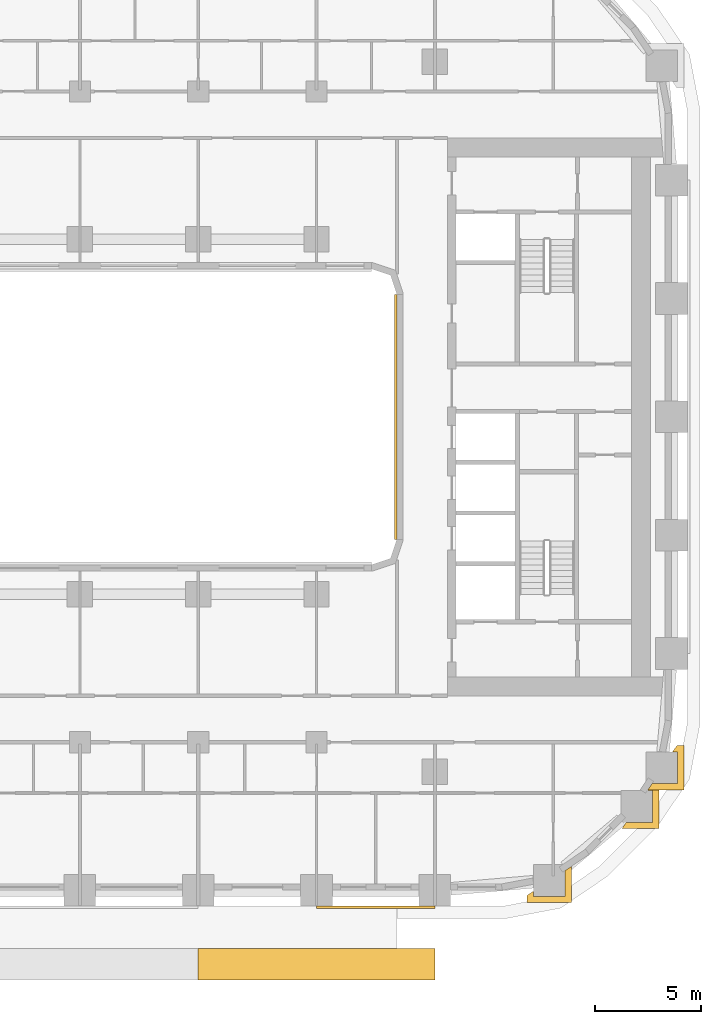
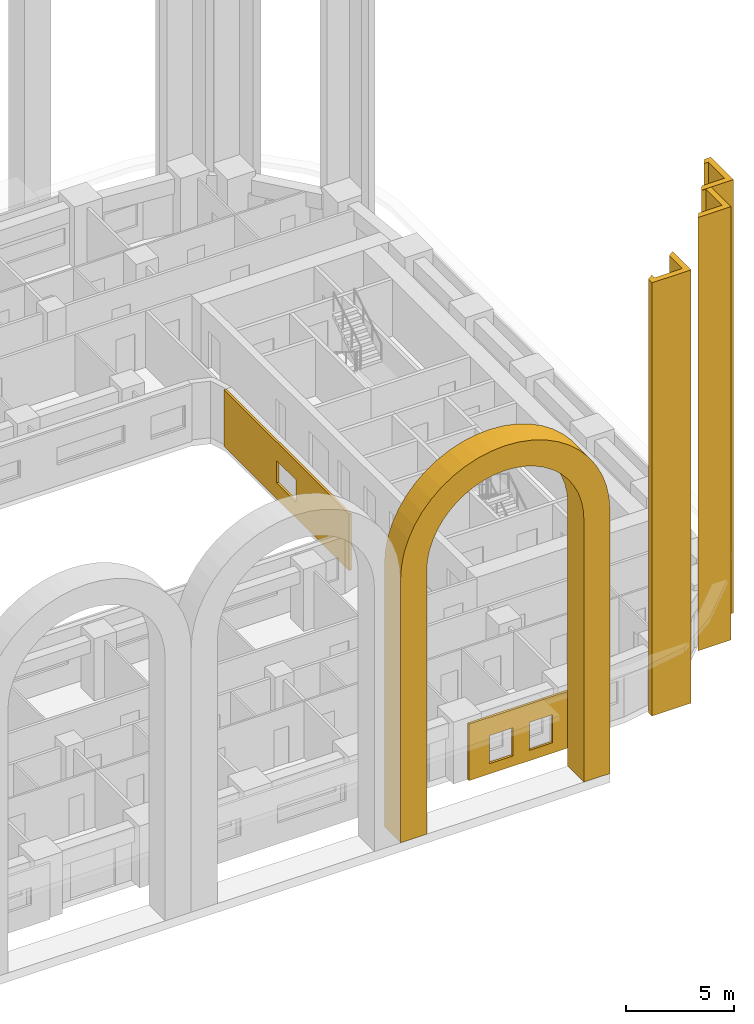
# One storey, part 15 of 21: 6 coverings.
"""IFC4 building model written with IfcOpenShell, lengths in metres."""

from ifc_helpers import new_model, si_unit, direction, frame, origin, place, context, subcontext, project, spatial, polyline, outline, extrude, material, layer, layer_set, type_object, element, save


model = new_model("IFC4")

# Units and contexts
model_context = context("Model", 3, precision=1e-05, world=origin(), true_north=direction((0.0, 1.0)))
body_context = subcontext(model_context, "Body", "Model", "MODEL_VIEW")
ifc_project = project(units=[si_unit("LENGTHUNIT", "METRE"), si_unit("AREAUNIT", "SQUARE_METRE"), si_unit("VOLUMEUNIT", "CUBIC_METRE"), si_unit("PLANEANGLEUNIT", "RADIAN"), si_unit("MASSUNIT", "GRAM", prefix="KILO")], contexts=[model_context])

# Site, building, storey
site_placement = place(None, origin())
site = spatial("IfcSite", under=ifc_project, at=site_placement, CompositionType="ELEMENT")
building_placement = place(site_placement, origin())
building = spatial("IfcBuilding", under=site, at=building_placement, Name="Kiln Ring Residences", CompositionType="ELEMENT")
storey_placement = place(building_placement, frame((0.0, 0.0, 30.5)))
storey = spatial("IfcBuildingStorey", under=building, at=storey_placement, Name="L06", CompositionType="ELEMENT", Elevation=30.5)

# Coverings
ifc_material_1 = material(Name="Brick masonry, dark clay brick", Category="masonry")
ifc_layer_1 = layer(ifc_material_1, 1.39990234375)
ifc_layer_set_1 = layer_set([ifc_layer_1], Name="ARCH SURROUND 1500")
covering_type_1 = type_object("IfcCoveringType", Name="ARCH SURROUND 1500", PredefinedType="CLADDING", material=ifc_layer_set_1)
covering_1_placement = place(storey_placement, frame((16.800048828125, -25.89990234375, 0.5), z_axis=(0.0, 0.0, 1.0), x_axis=(-1.0, 0.0, 0.0)))
element("IfcCovering", 1, at=covering_1_placement, inside=storey, type_object=covering_type_1, Name="ARCH SURROUND Z1 S1.3", PredefinedType="CLADDING", context=body_context, shape_type="SweptSolid", body=[
    extrude(outline(polyline([(11.199951171875, 0.0), (11.199951171875, 14.89990234375), (11.152099609375, 15.630859375), (11.00927734375, 16.349365234375), (10.773681640625, 17.04296875), (10.44970703125, 17.699951171875), (10.042724609375, 18.30908203125), (9.559814453125, 18.85986328125), (9.009033203125, 19.3427734375), (8.39990234375, 19.749755859375), (7.742919921875, 20.07373046875), (7.04931640625, 20.30908203125), (6.330810546875, 20.4521484375), (5.60009765625, 20.5), (4.869140625, 20.4521484375), (4.150634765625, 20.30908203125), (3.45703125, 20.07373046875), (2.800048828125, 19.749755859375), (2.19091796875, 19.3427734375), (1.64013671875, 18.85986328125), (1.1572265625, 18.30908203125), (0.750244140625, 17.699951171875), (0.42626953125, 17.04296875), (0.19091796875, 16.349365234375), (0.0478515625, 15.630859375), (0.0, 14.89990234375), (0.0, 0.0), (1.39990234375, 0.0), (1.39990234375, 14.89990234375), (1.435791015625, 15.4482421875), (1.543212890625, 15.987060546875), (1.7197265625, 16.50732421875), (1.962646484375, 17.0), (2.267822265625, 17.456787109375), (2.630126953125, 17.869873046875), (3.043212890625, 18.232177734375), (3.5, 18.537353515625), (3.99267578125, 18.7802734375), (4.512939453125, 18.956787109375), (5.0517578125, 19.064208984375), (5.60009765625, 19.10009765625), (6.148193359375, 19.064208984375), (6.68701171875, 18.956787109375), (7.207275390625, 18.7802734375), (7.699951171875, 18.537353515625), (8.15673828125, 18.232177734375), (8.56982421875, 17.869873046875), (8.93212890625, 17.456787109375), (9.2373046875, 17.0), (9.480224609375, 16.50732421875), (9.656982421875, 15.987060546875), (9.76416015625, 15.4482421875), (9.800048828125, 14.89990234375), (9.800048828125, 0.0), (11.199951171875, 0.0)])), frame((0.0, 0.75, 0.0), z_axis=(0.0, -1.0, 0.0), x_axis=(1.0, 0.0, 0.0)), (0.0, 0.0, 1.0), 1.5),
])
ifc_material_2 = material(Name="Brick masonry, dark clay brick", Category="masonry")
ifc_layer_2 = layer(ifc_material_2, 0.300048828125)
ifc_layer_set_2 = layer_set([ifc_layer_2], Name="PIER CLADDING 300")
covering_type_2 = type_object("IfcCoveringType", Name="PIER CLADDING 300", PredefinedType="CLADDING", material=ifc_layer_set_2)
placement = place(storey_placement, origin())
element("IfcCovering", 2, at=placement, inside=storey, type_object=covering_type_2, Name="PIER CLADDING L06-L12", PredefinedType="CLADDING", context=body_context, shape_type="SweptSolid", body=[
    extrude(outline(polyline([(21.458740234375, -22.44775390625), (21.15869140625, -22.651611328125), (21.15869140625, -22.988037109375), (23.2587890625, -22.988037109375), (23.2587890625, -21.272705078125), (22.958740234375, -21.4765625), (22.958740234375, -22.68798828125), (21.458740234375, -22.68798828125), (21.458740234375, -22.44775390625)])), origin(), (0.0, 0.0, 1.0), 24.5),
])
element("IfcCovering", 3, at=placement, inside=storey, type_object=covering_type_2, Name="PIER CLADDING L06-L12", PredefinedType="CLADDING", context=body_context, shape_type="SweptSolid", body=[
    extrude(outline(polyline([(27.409912109375, -19.490234375), (27.409912109375, -17.39013671875), (27.073486328125, -17.39013671875), (26.869384765625, -17.690185546875), (27.10986328125, -17.690185546875), (27.10986328125, -19.190185546875), (25.85009765625, -19.190185546875), (25.646240234375, -19.490234375), (27.409912109375, -19.490234375)])), origin(), (0.0, 0.0, 1.0), 24.5),
])
element("IfcCovering", 4, at=placement, inside=storey, type_object=covering_type_2, Name="PIER CLADDING L06-L12", PredefinedType="CLADDING", context=body_context, shape_type="SweptSolid", body=[
    extrude(outline(polyline([(28.588134765625, -17.65869140625), (28.588134765625, -15.55859375), (28.251708984375, -15.55859375), (28.0478515625, -15.858642578125), (28.2880859375, -15.858642578125), (28.2880859375, -17.358642578125), (27.076416015625, -17.358642578125), (26.87255859375, -17.65869140625), (28.588134765625, -17.65869140625)])), origin(), (0.0, 0.0, 1.0), 24.5),
])
ifc_material_3 = material(Name="Brick masonry, dark clay brick", Category="masonry")
ifc_layer_3 = layer(ifc_material_3, 0.1201171875)
ifc_layer_set_3 = layer_set([ifc_layer_3], Name="RAINSCREEN PANEL 120")
covering_type_3 = type_object("IfcCoveringType", Name="RAINSCREEN PANEL 120", PredefinedType="CLADDING", material=ifc_layer_set_3)
covering_5_placement = place(storey_placement, frame((11.199951171875, -23.2099609375, 0.0), z_axis=(0.0, 0.0, 1.0), x_axis=(1.0, 0.0, 0.0)))
element("IfcCovering", 5, at=covering_5_placement, inside=storey, type_object=covering_type_3, Name="RAINSCREEN L06", PredefinedType="CLADDING", context=body_context, shape_type="SweptSolid", body=[
    extrude(outline(polyline([(0.0, 0.0), (5.60009765625, 0.0), (5.60009765625, 3.199951171875), (0.0, 3.199951171875), (0.0, 0.0)]), holes=[polyline([(2.357421875, 2.169921875), (1.117431640625, 2.169921875), (1.117431640625, 0.580078125), (2.357421875, 0.580078125), (2.357421875, 2.169921875)]), polyline([(4.482421875, 2.169921875), (3.242431640625, 2.169921875), (3.242431640625, 0.580078125), (4.482421875, 0.580078125), (4.482421875, 2.169921875)])]), frame((0.0, 0.06005859375, 0.0), z_axis=(0.0, -1.0, 0.0), x_axis=(1.0, 0.0, 0.0)), (0.0, 0.0, 1.0), 0.1201171875),
])
covering_6_placement = place(storey_placement, frame((14.93994140625, 5.800048828125, 0.0), z_axis=(0.0, 0.0, 1.0), x_axis=(0.0, -1.0, 0.0)))
element("IfcCovering", 6, at=covering_6_placement, inside=storey, type_object=covering_type_3, Name="RAINSCREEN L06", PredefinedType="CLADDING", context=body_context, shape_type="SweptSolid", body=[
    extrude(outline(polyline([(0.0, 0.0), (11.60009765625, 0.0), (11.60009765625, 3.199951171875), (0.0, 3.199951171875), (0.0, 0.0)]), holes=[polyline([(4.89990234375, 2.14990234375), (4.89990234375, 0.89990234375), (6.699951171875, 0.89990234375), (6.699951171875, 2.14990234375), (4.89990234375, 2.14990234375)])]), frame((0.0, 0.06005859375, 0.0), z_axis=(0.0, -1.0, 0.0), x_axis=(1.0, 0.0, 0.0)), (0.0, 0.0, 1.0), 0.1201171875),
])

save(model, "model.ifc")
